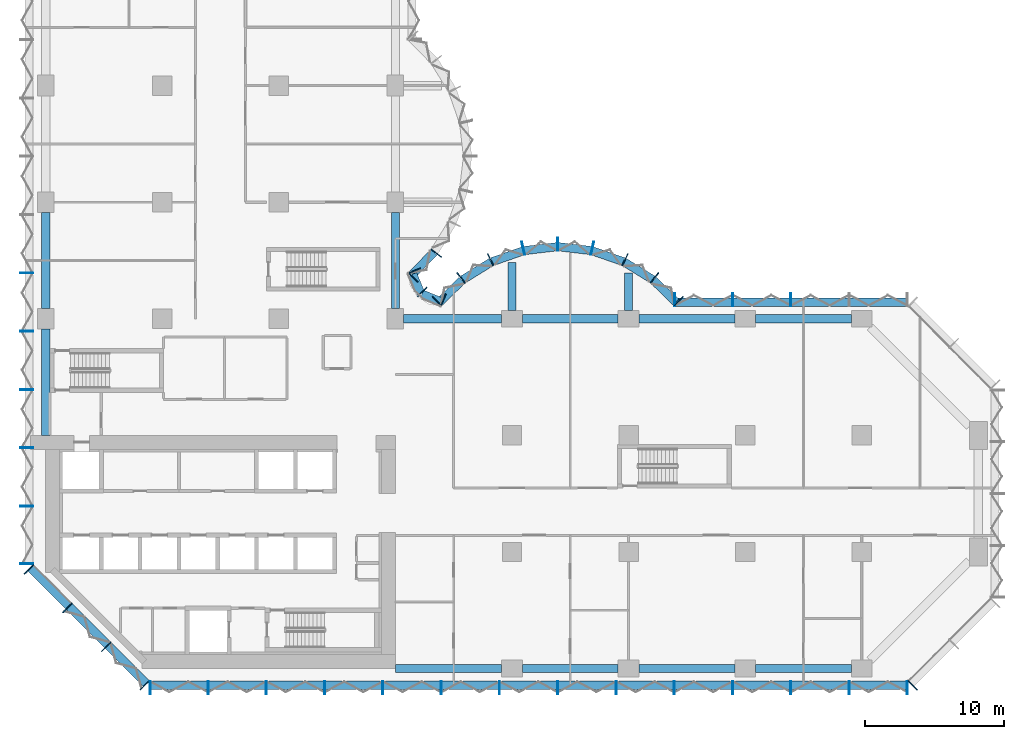
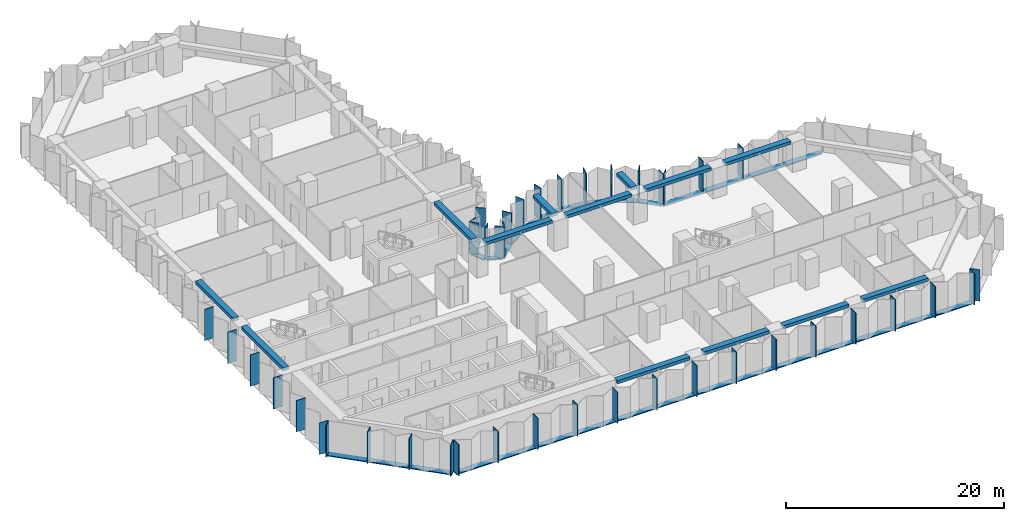
# One storey, part 2 of 15: 56 members, 13 beams, 8 elements without a shape of their own.
"""IFC4 building model written with IfcOpenShell, lengths in metres."""

from ifc_helpers import new_model, si_unit, direction, frame, origin, origin_2d, place, context, subcontext, project, spatial, rectangle, extrude, material, material_profile, profile_set, type_object, element, aggregate, save


model = new_model("IFC4")

# Units and contexts
model_context = context("Model", 3, precision=1e-05, world=origin(), true_north=direction((0.0, 1.0)))
body_context = subcontext(model_context, "Body", "Model", "MODEL_VIEW")
ifc_project = project(units=[si_unit("LENGTHUNIT", "METRE"), si_unit("AREAUNIT", "SQUARE_METRE"), si_unit("VOLUMEUNIT", "CUBIC_METRE"), si_unit("PLANEANGLEUNIT", "RADIAN"), si_unit("MASSUNIT", "GRAM", prefix="KILO")], contexts=[model_context])

# Site, building, storey
site_placement = place(None, origin())
site = spatial("IfcSite", under=ifc_project, at=site_placement, CompositionType="ELEMENT")
building_placement = place(site_placement, origin())
building = spatial("IfcBuilding", under=site, at=building_placement, Name="Brevane Broadcast Tower", CompositionType="ELEMENT")
storey_placement = place(building_placement, frame((0.0, 0.0, 47.300048828125)))
storey = spatial("IfcBuildingStorey", under=building, at=storey_placement, Name="L09", CompositionType="ELEMENT", Elevation=47.300048828125)

# Curtain wall, members
ifc_material_1 = material(Name="Aluminium 6063-T6 bronze anodised", Category="aluminium")
curtain_wall_type = type_object("IfcCurtainWallType", Name="CW-1 curtain wall", PredefinedType="NOTDEFINED", material=ifc_material_1)
curtain_wall_1_placement = place(storey_placement, origin())
curtain_wall_1 = element("IfcCurtainWall", 1, at=curtain_wall_1_placement, inside=storey, type_object=curtain_wall_type, Name="CW-1 typical tilted unit L09 south face", PredefinedType="NOTDEFINED")
ifc_material_profile_1 = material_profile(ifc_material_1, rectangle(XDim=0.949951171875, YDim=0.070068359375, at=origin_2d()), Name="RECT 70x950")
ifc_profile_set_1 = profile_set([ifc_material_profile_1], Name="Aluminium 6063-T6 bronze anodised")
member_type_1 = type_object("IfcMemberType", Name="CW-1 mullion 70x950", PredefinedType="MULLION", material=ifc_profile_set_1)
member_1_placement = place(storey_placement, frame((7.534912109375, -1.375, -0.150146484375), z_axis=(0.0, 0.0, 1.0), x_axis=(0.0, 1.0, 0.0)))
member_1 = element("IfcMember", 2, at=member_1_placement, type_object=member_type_1, Name="CW-1 mullion", PredefinedType="MULLION", context=body_context, shape_type="SweptSolid", body=[
    extrude(rectangle(XDim=0.949951171875, YDim=0.070068359375, at=origin_2d()), origin(), (0.0, 0.0, 1.0), 3.5),
])
member_2_placement = place(storey_placement, frame((11.699951171875, -1.375, -0.150146484375), z_axis=(0.0, 0.0, 1.0), x_axis=(0.0, 1.0, 0.0)))
member_2 = element("IfcMember", 3, at=member_2_placement, type_object=member_type_1, Name="CW-1 mullion", PredefinedType="MULLION", context=body_context, shape_type="SweptSolid", body=[
    extrude(rectangle(XDim=0.949951171875, YDim=0.070068359375, at=origin_2d()), origin(), (0.0, 0.0, 1.0), 3.5),
])
member_3_placement = place(storey_placement, frame((15.89990234375, -1.375, -0.150146484375), z_axis=(0.0, 0.0, 1.0), x_axis=(0.0, 1.0, 0.0)))
member_3 = element("IfcMember", 4, at=member_3_placement, type_object=member_type_1, Name="CW-1 mullion", PredefinedType="MULLION", context=body_context, shape_type="SweptSolid", body=[
    extrude(rectangle(XDim=0.949951171875, YDim=0.070068359375, at=origin_2d()), origin(), (0.0, 0.0, 1.0), 3.5),
])
member_4_placement = place(storey_placement, frame((20.10009765625, -1.375, -0.150146484375), z_axis=(0.0, 0.0, 1.0), x_axis=(0.0, 1.0, 0.0)))
member_4 = element("IfcMember", 5, at=member_4_placement, type_object=member_type_1, Name="CW-1 mullion", PredefinedType="MULLION", context=body_context, shape_type="SweptSolid", body=[
    extrude(rectangle(XDim=0.949951171875, YDim=0.070068359375, at=origin_2d()), origin(), (0.0, 0.0, 1.0), 3.5),
])
member_5_placement = place(storey_placement, frame((24.300048828125, -1.375, -0.150146484375), z_axis=(0.0, 0.0, 1.0), x_axis=(0.0, 1.0, 0.0)))
member_5 = element("IfcMember", 6, at=member_5_placement, type_object=member_type_1, Name="CW-1 mullion", PredefinedType="MULLION", context=body_context, shape_type="SweptSolid", body=[
    extrude(rectangle(XDim=0.949951171875, YDim=0.070068359375, at=origin_2d()), origin(), (0.0, 0.0, 1.0), 3.5),
])
member_6_placement = place(storey_placement, frame((28.5, -1.375, -0.150146484375), z_axis=(0.0, 0.0, 1.0), x_axis=(0.0, 1.0, 0.0)))
member_6 = element("IfcMember", 7, at=member_6_placement, type_object=member_type_1, Name="CW-1 mullion", PredefinedType="MULLION", context=body_context, shape_type="SweptSolid", body=[
    extrude(rectangle(XDim=0.949951171875, YDim=0.070068359375, at=origin_2d()), origin(), (0.0, 0.0, 1.0), 3.5),
])
member_7_placement = place(storey_placement, frame((32.699951171875, -1.375, -0.150146484375), z_axis=(0.0, 0.0, 1.0), x_axis=(0.0, 1.0, 0.0)))
member_7 = element("IfcMember", 8, at=member_7_placement, type_object=member_type_1, Name="CW-1 mullion", PredefinedType="MULLION", context=body_context, shape_type="SweptSolid", body=[
    extrude(rectangle(XDim=0.949951171875, YDim=0.070068359375, at=origin_2d()), origin(), (0.0, 0.0, 1.0), 3.5),
])
member_8_placement = place(storey_placement, frame((36.89990234375, -1.375, -0.150146484375), z_axis=(0.0, 0.0, 1.0), x_axis=(0.0, 1.0, 0.0)))
member_8 = element("IfcMember", 9, at=member_8_placement, type_object=member_type_1, Name="CW-1 mullion", PredefinedType="MULLION", context=body_context, shape_type="SweptSolid", body=[
    extrude(rectangle(XDim=0.949951171875, YDim=0.070068359375, at=origin_2d()), origin(), (0.0, 0.0, 1.0), 3.5),
])
member_9_placement = place(storey_placement, frame((41.10009765625, -1.375, -0.150146484375), z_axis=(0.0, 0.0, 1.0), x_axis=(0.0, 1.0, 0.0)))
member_9 = element("IfcMember", 10, at=member_9_placement, type_object=member_type_1, Name="CW-1 mullion", PredefinedType="MULLION", context=body_context, shape_type="SweptSolid", body=[
    extrude(rectangle(XDim=0.949951171875, YDim=0.070068359375, at=origin_2d()), origin(), (0.0, 0.0, 1.0), 3.5),
])
member_10_placement = place(storey_placement, frame((45.300048828125, -1.375, -0.150146484375), z_axis=(0.0, 0.0, 1.0), x_axis=(0.0, 1.0, 0.0)))
member_10 = element("IfcMember", 11, at=member_10_placement, type_object=member_type_1, Name="CW-1 mullion", PredefinedType="MULLION", context=body_context, shape_type="SweptSolid", body=[
    extrude(rectangle(XDim=0.949951171875, YDim=0.070068359375, at=origin_2d()), origin(), (0.0, 0.0, 1.0), 3.5),
])
member_11_placement = place(storey_placement, frame((49.5, -1.375, -0.150146484375), z_axis=(0.0, 0.0, 1.0), x_axis=(0.0, 1.0, 0.0)))
member_11 = element("IfcMember", 12, at=member_11_placement, type_object=member_type_1, Name="CW-1 mullion", PredefinedType="MULLION", context=body_context, shape_type="SweptSolid", body=[
    extrude(rectangle(XDim=0.949951171875, YDim=0.070068359375, at=origin_2d()), origin(), (0.0, 0.0, 1.0), 3.5),
])
member_12_placement = place(storey_placement, frame((53.699951171875, -1.375, -0.150146484375), z_axis=(0.0, 0.0, 1.0), x_axis=(0.0, 1.0, 0.0)))
member_12 = element("IfcMember", 13, at=member_12_placement, type_object=member_type_1, Name="CW-1 mullion", PredefinedType="MULLION", context=body_context, shape_type="SweptSolid", body=[
    extrude(rectangle(XDim=0.949951171875, YDim=0.070068359375, at=origin_2d()), origin(), (0.0, 0.0, 1.0), 3.5),
])
member_13_placement = place(storey_placement, frame((57.89990234375, -1.375, -0.150146484375), z_axis=(0.0, 0.0, 1.0), x_axis=(0.0, 1.0, 0.0)))
member_13 = element("IfcMember", 14, at=member_13_placement, type_object=member_type_1, Name="CW-1 mullion", PredefinedType="MULLION", context=body_context, shape_type="SweptSolid", body=[
    extrude(rectangle(XDim=0.949951171875, YDim=0.070068359375, at=origin_2d()), origin(), (0.0, 0.0, 1.0), 3.5),
])
member_14_placement = place(storey_placement, frame((62.06494140625, -1.375, -0.150146484375), z_axis=(0.0, 0.0, 1.0), x_axis=(0.0, 1.0, 0.0)))
member_14 = element("IfcMember", 15, at=member_14_placement, type_object=member_type_1, Name="CW-1 mullion", PredefinedType="MULLION", context=body_context, shape_type="SweptSolid", body=[
    extrude(rectangle(XDim=0.949951171875, YDim=0.070068359375, at=origin_2d()), origin(), (0.0, 0.0, 1.0), 3.5),
])

# Curtain wall, member
curtain_wall_2_placement = place(storey_placement, origin())
curtain_wall_2 = element("IfcCurtainWall", 16, at=curtain_wall_2_placement, inside=storey, type_object=curtain_wall_type, Name="CW-1 typical tilted unit L09 south-east chamfer", PredefinedType="NOTDEFINED")
member_15_placement = place(storey_placement, frame((62.460693359375, -1.211181640625, -0.150146484375), z_axis=(0.0, 0.0, 1.0), x_axis=(-0.707106781187, 0.707106781187, 0.0)))
member_15 = element("IfcMember", 17, at=member_15_placement, type_object=member_type_1, Name="CW-1 mullion", PredefinedType="MULLION", context=body_context, shape_type="SweptSolid", body=[
    extrude(rectangle(XDim=0.949951171875, YDim=0.070068359375, at=origin_2d()), origin(), (0.0, 0.0, 1.0), 3.5),
])
aggregate(curtain_wall_2, [member_15])

# Curtain wall, members
curtain_wall_3_placement = place(storey_placement, origin())
curtain_wall_3 = element("IfcCurtainWall", 18, at=curtain_wall_3_placement, inside=storey, type_object=curtain_wall_type, Name="CW-1 typical tilted unit L09 east arm north face", PredefinedType="NOTDEFINED")
member_16_placement = place(storey_placement, frame((53.699951171875, 26.574951171875, -0.150146484375), z_axis=(0.0, 0.0, 1.0), x_axis=(0.0, -1.0, 0.0)))
member_16 = element("IfcMember", 19, at=member_16_placement, type_object=member_type_1, Name="CW-1 mullion", PredefinedType="MULLION", context=body_context, shape_type="SweptSolid", body=[
    extrude(rectangle(XDim=0.949951171875, YDim=0.070068359375, at=origin_2d()), origin(), (0.0, 0.0, 1.0), 3.5),
])
member_17_placement = place(storey_placement, frame((49.5, 26.574951171875, -0.150146484375), z_axis=(0.0, 0.0, 1.0), x_axis=(0.0, -1.0, 0.0)))
member_17 = element("IfcMember", 20, at=member_17_placement, type_object=member_type_1, Name="CW-1 mullion", PredefinedType="MULLION", context=body_context, shape_type="SweptSolid", body=[
    extrude(rectangle(XDim=0.949951171875, YDim=0.070068359375, at=origin_2d()), origin(), (0.0, 0.0, 1.0), 3.5),
])
member_18_placement = place(storey_placement, frame((45.3349609375, 26.574951171875, -0.150146484375), z_axis=(0.0, 0.0, 1.0), x_axis=(0.0, -1.0, 0.0)))
member_18 = element("IfcMember", 21, at=member_18_placement, type_object=member_type_1, Name="CW-1 mullion", PredefinedType="MULLION", context=body_context, shape_type="SweptSolid", body=[
    extrude(rectangle(XDim=0.949951171875, YDim=0.070068359375, at=origin_2d()), origin(), (0.0, 0.0, 1.0), 3.5),
])

curtain_wall_4_placement = place(storey_placement, origin())
curtain_wall_4 = element("IfcCurtainWall", 22, at=curtain_wall_4_placement, inside=storey, type_object=curtain_wall_type, Name="CW-1 typical tilted unit L09 east bow", PredefinedType="NOTDEFINED")
member_19_placement = place(storey_placement, frame((45.60595703125, 26.465087890625, -0.150146484375), z_axis=(0.0, 0.0, 1.0), x_axis=(-0.696811941702, -0.717253872699, 0.0)))
member_19 = element("IfcMember", 23, at=member_19_placement, type_object=member_type_1, Name="CW-1 mullion", PredefinedType="MULLION", context=body_context, shape_type="SweptSolid", body=[
    extrude(rectangle(XDim=0.949951171875, YDim=0.070068359375, at=origin_2d()), origin(), (0.0, 0.0, 1.0), 3.5),
])
member_20_placement = place(storey_placement, frame((43.8720703125, 28.1455078125, -0.150146484375), z_axis=(0.0, 0.0, 1.0), x_axis=(-0.614769738617, -0.788706642853, 0.0)))
member_20 = element("IfcMember", 24, at=member_20_placement, type_object=member_type_1, Name="CW-1 mullion", PredefinedType="MULLION", context=body_context, shape_type="SweptSolid", body=[
    extrude(rectangle(XDim=0.949951171875, YDim=0.070068359375, at=origin_2d()), origin(), (0.0, 0.0, 1.0), 3.5),
])
member_21_placement = place(storey_placement, frame((41.746826171875, 29.4580078125, -0.150146484375), z_axis=(0.0, 0.0, 1.0), x_axis=(-0.429933601163, -0.902860508933, 0.0)))
member_21 = element("IfcMember", 25, at=member_21_placement, type_object=member_type_1, Name="CW-1 mullion", PredefinedType="MULLION", context=body_context, shape_type="SweptSolid", body=[
    extrude(rectangle(XDim=0.949951171875, YDim=0.070068359375, at=origin_2d()), origin(), (0.0, 0.0, 1.0), 3.5),
])
member_22_placement = place(storey_placement, frame((39.38818359375, 30.28076171875, -0.150146484375), z_axis=(0.0, 0.0, 1.0), x_axis=(-0.224806482215, -0.974403430594, 0.0)))
member_22 = element("IfcMember", 26, at=member_22_placement, type_object=member_type_1, Name="CW-1 mullion", PredefinedType="MULLION", context=body_context, shape_type="SweptSolid", body=[
    extrude(rectangle(XDim=0.949951171875, YDim=0.070068359375, at=origin_2d()), origin(), (0.0, 0.0, 1.0), 3.5),
])
member_23_placement = place(storey_placement, frame((36.89990234375, 30.574951171875, -0.150146484375), z_axis=(0.0, 0.0, 1.0), x_axis=(0.0, -1.0, 0.0)))
member_23 = element("IfcMember", 27, at=member_23_placement, type_object=member_type_1, Name="CW-1 mullion", PredefinedType="MULLION", context=body_context, shape_type="SweptSolid", body=[
    extrude(rectangle(XDim=0.949951171875, YDim=0.070068359375, at=origin_2d()), origin(), (0.0, 0.0, 1.0), 3.5),
])
member_24_placement = place(storey_placement, frame((34.411865234375, 30.28076171875, -0.150146484375), z_axis=(0.0, 0.0, 1.0), x_axis=(0.224806482215, -0.974403430594, 0.0)))
member_24 = element("IfcMember", 28, at=member_24_placement, type_object=member_type_1, Name="CW-1 mullion", PredefinedType="MULLION", context=body_context, shape_type="SweptSolid", body=[
    extrude(rectangle(XDim=0.949951171875, YDim=0.070068359375, at=origin_2d()), origin(), (0.0, 0.0, 1.0), 3.5),
])
member_25_placement = place(storey_placement, frame((32.05322265625, 29.4580078125, -0.150146484375), z_axis=(0.0, 0.0, 1.0), x_axis=(0.429933601163, -0.902860508933, 0.0)))
member_25 = element("IfcMember", 29, at=member_25_placement, type_object=member_type_1, Name="CW-1 mullion", PredefinedType="MULLION", context=body_context, shape_type="SweptSolid", body=[
    extrude(rectangle(XDim=0.949951171875, YDim=0.070068359375, at=origin_2d()), origin(), (0.0, 0.0, 1.0), 3.5),
])
member_26_placement = place(storey_placement, frame((29.927978515625, 28.1455078125, -0.150146484375), z_axis=(0.0, 0.0, 1.0), x_axis=(0.614769738617, -0.788706642853, 0.0)))
member_26 = element("IfcMember", 30, at=member_26_placement, type_object=member_type_1, Name="CW-1 mullion", PredefinedType="MULLION", context=body_context, shape_type="SweptSolid", body=[
    extrude(rectangle(XDim=0.949951171875, YDim=0.070068359375, at=origin_2d()), origin(), (0.0, 0.0, 1.0), 3.5),
])
member_27_placement = place(storey_placement, frame((28.194091796875, 26.465087890625, -0.150146484375), z_axis=(0.0, 0.0, 1.0), x_axis=(0.696811941702, -0.717253872699, 0.0)))
member_27 = element("IfcMember", 31, at=member_27_placement, type_object=member_type_1, Name="CW-1 mullion", PredefinedType="MULLION", context=body_context, shape_type="SweptSolid", body=[
    extrude(rectangle(XDim=0.949951171875, YDim=0.070068359375, at=origin_2d()), origin(), (0.0, 0.0, 1.0), 3.5),
])

curtain_wall_5_placement = place(storey_placement, origin())
curtain_wall_5 = element("IfcCurtainWall", 32, at=curtain_wall_5_placement, inside=storey, type_object=curtain_wall_type, Name="CW-1 typical tilted unit L09 inner corner", PredefinedType="NOTDEFINED")
member_28_placement = place(storey_placement, frame((28.6494140625, 26.55224609375, -0.150146484375), z_axis=(0.0, 0.0, 1.0), x_axis=(-0.382683612978, -0.923879457699, 0.0)))
member_28 = element("IfcMember", 33, at=member_28_placement, type_object=member_type_1, Name="CW-1 mullion", PredefinedType="MULLION", context=body_context, shape_type="SweptSolid", body=[
    extrude(rectangle(XDim=0.949951171875, YDim=0.070068359375, at=origin_2d()), origin(), (0.0, 0.0, 1.0), 3.5),
])
member_29_placement = place(storey_placement, frame((27.138916015625, 27.138916015625, -0.150146484375), z_axis=(0.0, 0.0, 1.0), x_axis=(-0.707106781187, -0.707106781187, 0.0)))
member_29 = element("IfcMember", 34, at=member_29_placement, type_object=member_type_1, Name="CW-1 mullion", PredefinedType="MULLION", context=body_context, shape_type="SweptSolid", body=[
    extrude(rectangle(XDim=0.949951171875, YDim=0.070068359375, at=origin_2d()), origin(), (0.0, 0.0, 1.0), 3.5),
])
member_30_placement = place(storey_placement, frame((26.55224609375, 28.6494140625, -0.150146484375), z_axis=(0.0, 0.0, 1.0), x_axis=(-0.923879457699, -0.382683612978, 0.0)))
member_30 = element("IfcMember", 35, at=member_30_placement, type_object=member_type_1, Name="CW-1 mullion", PredefinedType="MULLION", context=body_context, shape_type="SweptSolid", body=[
    extrude(rectangle(XDim=0.949951171875, YDim=0.070068359375, at=origin_2d()), origin(), (0.0, 0.0, 1.0), 3.5),
])

curtain_wall_6_placement = place(storey_placement, origin())
curtain_wall_6 = element("IfcCurtainWall", 36, at=curtain_wall_6_placement, inside=storey, type_object=curtain_wall_type, Name="CW-1 typical tilted unit L09 north bow", PredefinedType="NOTDEFINED")
member_31_placement = place(storey_placement, frame((26.465087890625, 28.194091796875, -0.150146484375), z_axis=(0.0, 0.0, 1.0), x_axis=(-0.717253872699, 0.696811941702, 0.0)))
member_31 = element("IfcMember", 37, at=member_31_placement, type_object=member_type_1, Name="CW-1 mullion", PredefinedType="MULLION", context=body_context, shape_type="SweptSolid", body=[
    extrude(rectangle(XDim=0.949951171875, YDim=0.070068359375, at=origin_2d()), origin(), (0.0, 0.0, 1.0), 3.5),
])
member_32_placement = place(storey_placement, frame((28.1455078125, 29.927978515625, -0.150146484375), z_axis=(0.0, 0.0, 1.0), x_axis=(-0.788706642853, 0.614769738617, 0.0)))
member_32 = element("IfcMember", 38, at=member_32_placement, type_object=member_type_1, Name="CW-1 mullion", PredefinedType="MULLION", context=body_context, shape_type="SweptSolid", body=[
    extrude(rectangle(XDim=0.949951171875, YDim=0.070068359375, at=origin_2d()), origin(), (0.0, 0.0, 1.0), 3.5),
])

curtain_wall_7_placement = place(storey_placement, origin())
curtain_wall_7 = element("IfcCurtainWall", 39, at=curtain_wall_7_placement, inside=storey, type_object=curtain_wall_type, Name="CW-1 typical tilted unit L09 west face", PredefinedType="NOTDEFINED")
member_33_placement = place(storey_placement, frame((-1.375, 28.5, -0.150146484375), z_axis=(0.0, 0.0, 1.0), x_axis=(1.0, 0.0, 0.0)))
member_33 = element("IfcMember", 40, at=member_33_placement, type_object=member_type_1, Name="CW-1 mullion", PredefinedType="MULLION", context=body_context, shape_type="SweptSolid", body=[
    extrude(rectangle(XDim=0.949951171875, YDim=0.070068359375, at=origin_2d()), origin(), (0.0, 0.0, 1.0), 3.5),
])
member_34_placement = place(storey_placement, frame((-1.375, 24.300048828125, -0.150146484375), z_axis=(0.0, 0.0, 1.0), x_axis=(1.0, 0.0, 0.0)))
member_34 = element("IfcMember", 41, at=member_34_placement, type_object=member_type_1, Name="CW-1 mullion", PredefinedType="MULLION", context=body_context, shape_type="SweptSolid", body=[
    extrude(rectangle(XDim=0.949951171875, YDim=0.070068359375, at=origin_2d()), origin(), (0.0, 0.0, 1.0), 3.5),
])
member_35_placement = place(storey_placement, frame((-1.375, 20.10009765625, -0.150146484375), z_axis=(0.0, 0.0, 1.0), x_axis=(1.0, 0.0, 0.0)))
member_35 = element("IfcMember", 42, at=member_35_placement, type_object=member_type_1, Name="CW-1 mullion", PredefinedType="MULLION", context=body_context, shape_type="SweptSolid", body=[
    extrude(rectangle(XDim=0.949951171875, YDim=0.070068359375, at=origin_2d()), origin(), (0.0, 0.0, 1.0), 3.5),
])
member_36_placement = place(storey_placement, frame((-1.375, 15.89990234375, -0.150146484375), z_axis=(0.0, 0.0, 1.0), x_axis=(1.0, 0.0, 0.0)))
member_36 = element("IfcMember", 43, at=member_36_placement, type_object=member_type_1, Name="CW-1 mullion", PredefinedType="MULLION", context=body_context, shape_type="SweptSolid", body=[
    extrude(rectangle(XDim=0.949951171875, YDim=0.070068359375, at=origin_2d()), origin(), (0.0, 0.0, 1.0), 3.5),
])
member_37_placement = place(storey_placement, frame((-1.375, 11.699951171875, -0.150146484375), z_axis=(0.0, 0.0, 1.0), x_axis=(1.0, 0.0, 0.0)))
member_37 = element("IfcMember", 44, at=member_37_placement, type_object=member_type_1, Name="CW-1 mullion", PredefinedType="MULLION", context=body_context, shape_type="SweptSolid", body=[
    extrude(rectangle(XDim=0.949951171875, YDim=0.070068359375, at=origin_2d()), origin(), (0.0, 0.0, 1.0), 3.5),
])
member_38_placement = place(storey_placement, frame((-1.375, 7.534912109375, -0.150146484375), z_axis=(0.0, 0.0, 1.0), x_axis=(1.0, 0.0, 0.0)))
member_38 = element("IfcMember", 45, at=member_38_placement, type_object=member_type_1, Name="CW-1 mullion", PredefinedType="MULLION", context=body_context, shape_type="SweptSolid", body=[
    extrude(rectangle(XDim=0.949951171875, YDim=0.070068359375, at=origin_2d()), origin(), (0.0, 0.0, 1.0), 3.5),
])
aggregate(curtain_wall_7, [member_33, member_34, member_35, member_36, member_37, member_38])

curtain_wall_8_placement = place(storey_placement, origin())
curtain_wall_8 = element("IfcCurtainWall", 46, at=curtain_wall_8_placement, inside=storey, type_object=curtain_wall_type, Name="CW-1 typical tilted unit L09 south-west chamfer", PredefinedType="NOTDEFINED")
member_39_placement = place(storey_placement, frame((-1.211181640625, 7.139404296875, -0.150146484375), z_axis=(0.0, 0.0, 1.0), x_axis=(0.707106781187, 0.707106781187, 0.0)))
member_39 = element("IfcMember", 47, at=member_39_placement, type_object=member_type_1, Name="CW-1 mullion", PredefinedType="MULLION", context=body_context, shape_type="SweptSolid", body=[
    extrude(rectangle(XDim=0.949951171875, YDim=0.070068359375, at=origin_2d()), origin(), (0.0, 0.0, 1.0), 3.5),
])
member_40_placement = place(storey_placement, frame((1.564208984375, 4.364013671875, -0.150146484375), z_axis=(0.0, 0.0, 1.0), x_axis=(0.707106781187, 0.707106781187, 0.0)))
member_40 = element("IfcMember", 48, at=member_40_placement, type_object=member_type_1, Name="CW-1 mullion", PredefinedType="MULLION", context=body_context, shape_type="SweptSolid", body=[
    extrude(rectangle(XDim=0.949951171875, YDim=0.070068359375, at=origin_2d()), origin(), (0.0, 0.0, 1.0), 3.5),
])
member_41_placement = place(storey_placement, frame((4.364013671875, 1.564208984375, -0.150146484375), z_axis=(0.0, 0.0, 1.0), x_axis=(0.707106781187, 0.707106781187, 0.0)))
member_41 = element("IfcMember", 49, at=member_41_placement, type_object=member_type_1, Name="CW-1 mullion", PredefinedType="MULLION", context=body_context, shape_type="SweptSolid", body=[
    extrude(rectangle(XDim=0.949951171875, YDim=0.070068359375, at=origin_2d()), origin(), (0.0, 0.0, 1.0), 3.5),
])
member_42_placement = place(storey_placement, frame((7.139404296875, -1.211181640625, -0.150146484375), z_axis=(0.0, 0.0, 1.0), x_axis=(0.707106781187, 0.707106781187, 0.0)))
member_42 = element("IfcMember", 50, at=member_42_placement, type_object=member_type_1, Name="CW-1 mullion", PredefinedType="MULLION", context=body_context, shape_type="SweptSolid", body=[
    extrude(rectangle(XDim=0.949951171875, YDim=0.070068359375, at=origin_2d()), origin(), (0.0, 0.0, 1.0), 3.5),
])

# Member
ifc_material_profile_2 = material_profile(ifc_material_1, rectangle(XDim=0.60009765625, YDim=0.10009765625, at=origin_2d()), Name="RECT 100x600")
ifc_profile_set_2 = profile_set([ifc_material_profile_2], Name="Aluminium 6063-T6 bronze anodised")
member_type_2 = type_object("IfcMemberType", Name="CW-1 transom 100x600", PredefinedType="USERDEFINED", material=ifc_profile_set_2)
member_43_placement = place(storey_placement, frame((7.5, -1.199951171875, -0.199951171875), z_axis=(1.0, 0.0, 0.0), x_axis=(0.0, 1.0, 0.0)))
member_43 = element("IfcMember", 51, at=member_43_placement, type_object=member_type_2, Name="CW-1 transom", ObjectType="TRANSOM", PredefinedType="USERDEFINED", context=body_context, shape_type="SweptSolid", body=[
    extrude(rectangle(XDim=0.60009765625, YDim=0.10009765625, at=origin_2d()), origin(), (0.0, 0.0, 1.0), 54.60009765625),
])

aggregate(curtain_wall_1, [member_1, member_2, member_3, member_4, member_5, member_6, member_7, member_8, member_9, member_10, member_11, member_12, member_13, member_14, member_43])

member_44_placement = place(storey_placement, frame((62.10009765625, 26.39990234375, -0.199951171875), z_axis=(-1.0, 0.0, 0.0), x_axis=(0.0, -1.0, 0.0)))
member_44 = element("IfcMember", 52, at=member_44_placement, type_object=member_type_2, Name="CW-1 transom", ObjectType="TRANSOM", PredefinedType="USERDEFINED", context=body_context, shape_type="SweptSolid", body=[
    extrude(rectangle(XDim=0.60009765625, YDim=0.10009765625, at=origin_2d()), origin(), (0.0, 0.0, 1.0), 16.800048828125),
])

aggregate(curtain_wall_3, [member_16, member_17, member_18, member_44])

member_45_placement = place(storey_placement, frame((45.412841796875, 26.407958984375, -0.199951171875), z_axis=(-0.71724215871, 0.696823999134, 0.0), x_axis=(-0.696823999134, -0.71724215871, 0.0)))
member_45 = element("IfcMember", 53, at=member_45_placement, type_object=member_type_2, Name="CW-1 transom", ObjectType="TRANSOM", PredefinedType="USERDEFINED", context=body_context, shape_type="SweptSolid", body=[
    extrude(rectangle(XDim=0.60009765625, YDim=0.10009765625, at=origin_2d()), origin(), (0.0, 0.0, 1.0), 2.247802734375),
])

member_46_placement = place(storey_placement, frame((43.7421875, 28.023193359375, -0.199951171875), z_axis=(-0.850810063131, 0.525473345162, 0.0), x_axis=(-0.525473345162, -0.850810063131, 0.0)))
member_46 = element("IfcMember", 54, at=member_46_placement, type_object=member_type_2, Name="CW-1 transom", ObjectType="TRANSOM", PredefinedType="USERDEFINED", context=body_context, shape_type="SweptSolid", body=[
    extrude(rectangle(XDim=0.60009765625, YDim=0.10009765625, at=origin_2d()), origin(), (0.0, 0.0, 1.0), 2.39453125),
])

member_47_placement = place(storey_placement, frame((41.63623046875, 29.314208984375, -0.199951171875), z_axis=(-0.944197969542, 0.329378497041, 0.0), x_axis=(-0.329378497041, -0.944197969542, 0.0)))
member_47 = element("IfcMember", 55, at=member_47_placement, type_object=member_type_2, Name="CW-1 transom", ObjectType="TRANSOM", PredefinedType="USERDEFINED", context=body_context, shape_type="SweptSolid", body=[
    extrude(rectangle(XDim=0.60009765625, YDim=0.10009765625, at=origin_2d()), origin(), (0.0, 0.0, 1.0), 2.394775390625),
])

member_48_placement = place(storey_placement, frame((39.30029296875, 30.117431640625, -0.199951171875), z_axis=(-0.993062061831, 0.117591417, 0.0), x_axis=(-0.117591417, -0.993062061831, 0.0)))
member_48 = element("IfcMember", 56, at=member_48_placement, type_object=member_type_2, Name="CW-1 transom", ObjectType="TRANSOM", PredefinedType="USERDEFINED", context=body_context, shape_type="SweptSolid", body=[
    extrude(rectangle(XDim=0.60009765625, YDim=0.10009765625, at=origin_2d()), origin(), (0.0, 0.0, 1.0), 2.39794921875),
])

member_49_placement = place(storey_placement, frame((36.880859375, 30.3994140625, -0.199951171875), z_axis=(-0.993060653805, -0.117603307202, 0.0), x_axis=(0.117603307202, -0.993060653805, 0.0)))
member_49 = element("IfcMember", 57, at=member_49_placement, type_object=member_type_2, Name="CW-1 transom", ObjectType="TRANSOM", PredefinedType="USERDEFINED", context=body_context, shape_type="SweptSolid", body=[
    extrude(rectangle(XDim=0.60009765625, YDim=0.10009765625, at=origin_2d()), origin(), (0.0, 0.0, 1.0), 2.397705078125),
])

member_50_placement = place(storey_placement, frame((34.425048828125, 30.10302734375, -0.199951171875), z_axis=(-0.944197969542, -0.329378497041, 0.0), x_axis=(0.329378497041, -0.944197969542, 0.0)))
member_50 = element("IfcMember", 58, at=member_50_placement, type_object=member_type_2, Name="CW-1 transom", ObjectType="TRANSOM", PredefinedType="USERDEFINED", context=body_context, shape_type="SweptSolid", body=[
    extrude(rectangle(XDim=0.60009765625, YDim=0.10009765625, at=origin_2d()), origin(), (0.0, 0.0, 1.0), 2.394775390625),
])

member_51_placement = place(storey_placement, frame((32.09521484375, 29.281494140625, -0.199951171875), z_axis=(-0.850838211365, -0.525427766759, 0.0), x_axis=(0.525427766759, -0.850838211365, 0.0)))
member_51 = element("IfcMember", 59, at=member_51_placement, type_object=member_type_2, Name="CW-1 transom", ObjectType="TRANSOM", PredefinedType="USERDEFINED", context=body_context, shape_type="SweptSolid", body=[
    extrude(rectangle(XDim=0.60009765625, YDim=0.10009765625, at=origin_2d()), origin(), (0.0, 0.0, 1.0), 2.394775390625),
])

member_52_placement = place(storey_placement, frame((29.99951171875, 27.974365234375, -0.199951171875), z_axis=(-0.71724215871, -0.696823999134, 0.0), x_axis=(0.696823999134, -0.71724215871, 0.0)))
member_52 = element("IfcMember", 60, at=member_52_placement, type_object=member_type_2, Name="CW-1 transom", ObjectType="TRANSOM", PredefinedType="USERDEFINED", context=body_context, shape_type="SweptSolid", body=[
    extrude(rectangle(XDim=0.60009765625, YDim=0.10009765625, at=origin_2d()), origin(), (0.0, 0.0, 1.0), 2.247802734375),
])

aggregate(curtain_wall_4, [member_19, member_20, member_21, member_22, member_23, member_24, member_25, member_26, member_27, member_45, member_46, member_47, member_48, member_49, member_50, member_51, member_52])

member_53_placement = place(storey_placement, frame((28.528076171875, 26.40673828125, -0.199951171875), z_axis=(-0.923883243627, 0.382674472816, 0.0), x_axis=(-0.382674472816, -0.923883243627, 0.0)))
member_53 = element("IfcMember", 61, at=member_53_placement, type_object=member_type_2, Name="CW-1 transom", ObjectType="TRANSOM", PredefinedType="USERDEFINED", context=body_context, shape_type="SweptSolid", body=[
    extrude(rectangle(XDim=0.60009765625, YDim=0.10009765625, at=origin_2d()), origin(), (0.0, 0.0, 1.0), 1.536865234375),
])

member_54_placement = place(storey_placement, frame((27.039794921875, 27.0, -0.199951171875), z_axis=(-0.382674472816, 0.923883243627, 0.0), x_axis=(-0.923883243627, -0.382674472816, 0.0)))
member_54 = element("IfcMember", 62, at=member_54_placement, type_object=member_type_2, Name="CW-1 transom", ObjectType="TRANSOM", PredefinedType="USERDEFINED", context=body_context, shape_type="SweptSolid", body=[
    extrude(rectangle(XDim=0.60009765625, YDim=0.10009765625, at=origin_2d()), origin(), (0.0, 0.0, 1.0), 1.536865234375),
])

aggregate(curtain_wall_5, [member_28, member_29, member_30, member_53, member_54])

member_55_placement = place(storey_placement, frame((26.407958984375, 28.38720703125, -0.199951171875), z_axis=(0.696823999134, 0.71724215871, 0.0), x_axis=(-0.71724215871, 0.696823999134, 0.0)))
member_55 = element("IfcMember", 63, at=member_55_placement, type_object=member_type_2, Name="CW-1 transom", ObjectType="TRANSOM", PredefinedType="USERDEFINED", context=body_context, shape_type="SweptSolid", body=[
    extrude(rectangle(XDim=0.60009765625, YDim=0.10009765625, at=origin_2d()), origin(), (0.0, 0.0, 1.0), 2.247802734375),
])

aggregate(curtain_wall_6, [member_31, member_32, member_55])

member_56_placement = place(storey_placement, frame((-1.112060546875, 7.287841796875, -0.199951171875), z_axis=(0.707106781187, -0.707106781187, 0.0), x_axis=(0.707106781187, 0.707106781187, 0.0)))
member_56 = element("IfcMember", 64, at=member_56_placement, type_object=member_type_2, Name="CW-1 transom", ObjectType="TRANSOM", PredefinedType="USERDEFINED", context=body_context, shape_type="SweptSolid", body=[
    extrude(rectangle(XDim=0.60009765625, YDim=0.10009765625, at=origin_2d()), origin(), (0.0, 0.0, 1.0), 11.879150390625),
])

aggregate(curtain_wall_8, [member_39, member_40, member_41, member_42, member_56])

# Beams
ifc_material_2 = material(Name="Concrete C40/50", Category="concrete")
ifc_material_profile_3 = material_profile(ifc_material_2, rectangle(XDim=0.60009765625, YDim=0.35009765625, at=origin_2d()), Name="RC 600x350")
ifc_profile_set_3 = profile_set([ifc_material_profile_3], Name="Concrete C40/50")
beam_type_1 = type_object("IfcBeamType", Name="RC BRACKET BEAM 600x350 C40/50", PredefinedType="BEAM", material=ifc_profile_set_3)
beam_1_placement = place(storey_placement, frame((33.60009765625, 25.800048828125, 3.175048828125), z_axis=(0.0, 1.0, 0.0), x_axis=(-1.0, 0.0, 0.0)))
element("IfcBeam", 65, at=beam_1_placement, inside=storey, type_object=beam_type_1, Name="EB2 L09-3", PredefinedType="BEAM", context=body_context, shape_type="SweptSolid", body=[
    extrude(rectangle(XDim=0.60009765625, YDim=0.35009765625, at=origin_2d()), origin(), (0.0, 0.0, 1.0), 3.4619140625),
])
beam_2_placement = place(storey_placement, frame((42.0, 25.800048828125, 3.175048828125), z_axis=(0.0, 1.0, 0.0), x_axis=(-1.0, 0.0, 0.0)))
element("IfcBeam", 66, at=beam_2_placement, inside=storey, type_object=beam_type_1, Name="EB2 L09-4", PredefinedType="BEAM", context=body_context, shape_type="SweptSolid", body=[
    extrude(rectangle(XDim=0.60009765625, YDim=0.35009765625, at=origin_2d()), origin(), (0.0, 0.0, 1.0), 2.71142578125),
])
ifc_material_profile_4 = material_profile(ifc_material_2, rectangle(XDim=0.60009765625, YDim=0.35009765625, at=origin_2d()), Name="RC 600x350")
ifc_profile_set_4 = profile_set([ifc_material_profile_4], Name="Concrete C40/50")
beam_type_2 = type_object("IfcBeamType", Name="RC SPANDREL BEAM 600x350 C40/50", PredefinedType="SPANDREL", material=ifc_profile_set_4)
beam_3_placement = place(storey_placement, frame((25.199951171875, 0.0, 3.175048828125), z_axis=(1.0, 0.0, 0.0), x_axis=(0.0, 1.0, 0.0)))
element("IfcBeam", 67, at=beam_3_placement, inside=storey, type_object=beam_type_2, Name="EB1 L09-1", PredefinedType="SPANDREL", context=body_context, shape_type="SweptSolid", body=[
    extrude(rectangle(XDim=0.60009765625, YDim=0.35009765625, at=origin_2d()), origin(), (0.0, 0.0, 1.0), 7.650146484375),
])
for number, where, z_axis, x_axis, name in (
    (68, (34.35009765625, 0.0, 3.175048828125), (1.0, 0.0, 0.0), (0.0, 1.0, 0.0), "EB1 L09-2"),
    (69, (42.75, 0.0, 3.175048828125), (1.0, 0.0, 0.0), (0.0, 1.0, 0.0), "EB1 L09-3"),
):
    element("IfcBeam", number, at=place(storey_placement, frame(where, z_axis=z_axis, x_axis=x_axis)), inside=storey, type_object=beam_type_2, Name=name, PredefinedType="SPANDREL", context=body_context, shape_type="SweptSolid", body=[
        extrude(rectangle(XDim=0.60009765625, YDim=0.35009765625, at=origin_2d()), origin(), (0.0, 0.0, 1.0), 6.89990234375),
    ])
for number, where, z_axis, x_axis, name in (
    (70, (51.14990234375, 0.0, 3.175048828125), (1.0, 0.0, 0.0), (0.0, 1.0, 0.0), "EB1 L09-4"),
    (71, (58.050048828125, 25.199951171875, 3.175048828125), (-1.0, 0.0, 0.0), (0.0, -1.0, 0.0), "EB1 L09-8"),
):
    element("IfcBeam", number, at=place(storey_placement, frame(where, z_axis=z_axis, x_axis=x_axis)), inside=storey, type_object=beam_type_2, Name=name, PredefinedType="SPANDREL", context=body_context, shape_type="SweptSolid", body=[
        extrude(rectangle(XDim=0.60009765625, YDim=0.35009765625, at=origin_2d()), origin(), (0.0, 0.0, 1.0), 6.900146484375),
    ])
for number, where, z_axis, x_axis, name in (
    (72, (49.64990234375, 25.199951171875, 3.175048828125), (-1.0, 0.0, 0.0), (0.0, -1.0, 0.0), "EB1 L09-9"),
    (73, (41.25, 25.199951171875, 3.175048828125), (-1.0, 0.0, 0.0), (0.0, -1.0, 0.0), "EB1 L09-10"),
):
    element("IfcBeam", number, at=place(storey_placement, frame(where, z_axis=z_axis, x_axis=x_axis)), inside=storey, type_object=beam_type_2, Name=name, PredefinedType="SPANDREL", context=body_context, shape_type="SweptSolid", body=[
        extrude(rectangle(XDim=0.60009765625, YDim=0.35009765625, at=origin_2d()), origin(), (0.0, 0.0, 1.0), 6.89990234375),
    ])
beam_4_placement = place(storey_placement, frame((32.85009765625, 25.199951171875, 3.175048828125), z_axis=(-1.0, 0.0, 0.0), x_axis=(0.0, -1.0, 0.0)))
element("IfcBeam", 74, at=beam_4_placement, inside=storey, type_object=beam_type_2, Name="EB1 L09-11", PredefinedType="SPANDREL", context=body_context, shape_type="SweptSolid", body=[
    extrude(rectangle(XDim=0.60009765625, YDim=0.35009765625, at=origin_2d()), origin(), (0.0, 0.0, 1.0), 7.050048828125),
])
for number, where, z_axis, x_axis, name in (
    (75, (25.199951171875, 25.949951171875, 3.175048828125), (0.0, 1.0, 0.0), (-1.0, 0.0, 0.0), "EB1 L09-12"),
    (76, (0.0, 32.85009765625, 3.175048828125), (0.0, -1.0, 0.0), (1.0, 0.0, 0.0), "EB1 L09-22"),
):
    element("IfcBeam", number, at=place(storey_placement, frame(where, z_axis=z_axis, x_axis=x_axis)), inside=storey, type_object=beam_type_2, Name=name, PredefinedType="SPANDREL", context=body_context, shape_type="SweptSolid", body=[
        extrude(rectangle(XDim=0.60009765625, YDim=0.35009765625, at=origin_2d()), origin(), (0.0, 0.0, 1.0), 6.900146484375),
    ])
beam_5_placement = place(storey_placement, frame((0.0, 24.449951171875, 3.175048828125), z_axis=(0.0, -1.0, 0.0), x_axis=(1.0, 0.0, 0.0)))
element("IfcBeam", 77, at=beam_5_placement, inside=storey, type_object=beam_type_2, Name="EB1 L09-23", PredefinedType="SPANDREL", context=body_context, shape_type="SweptSolid", body=[
    extrude(rectangle(XDim=0.60009765625, YDim=0.35009765625, at=origin_2d()), origin(), (0.0, 0.0, 1.0), 7.64990234375),
])

save(model, "model.ifc")
